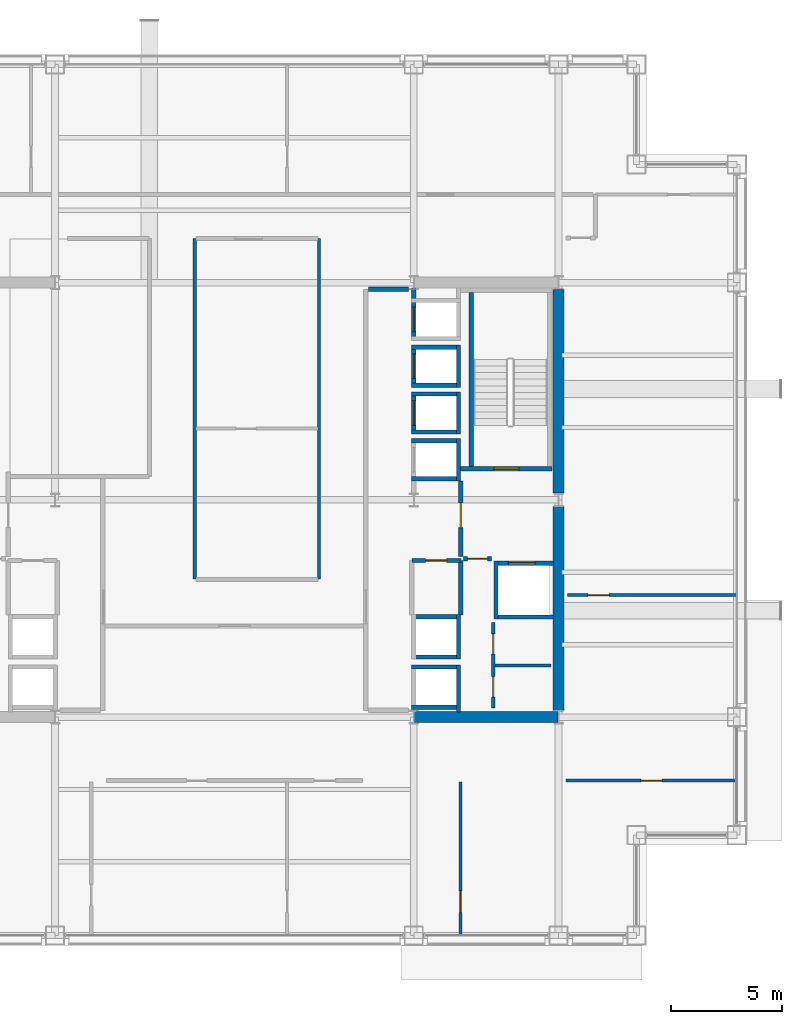
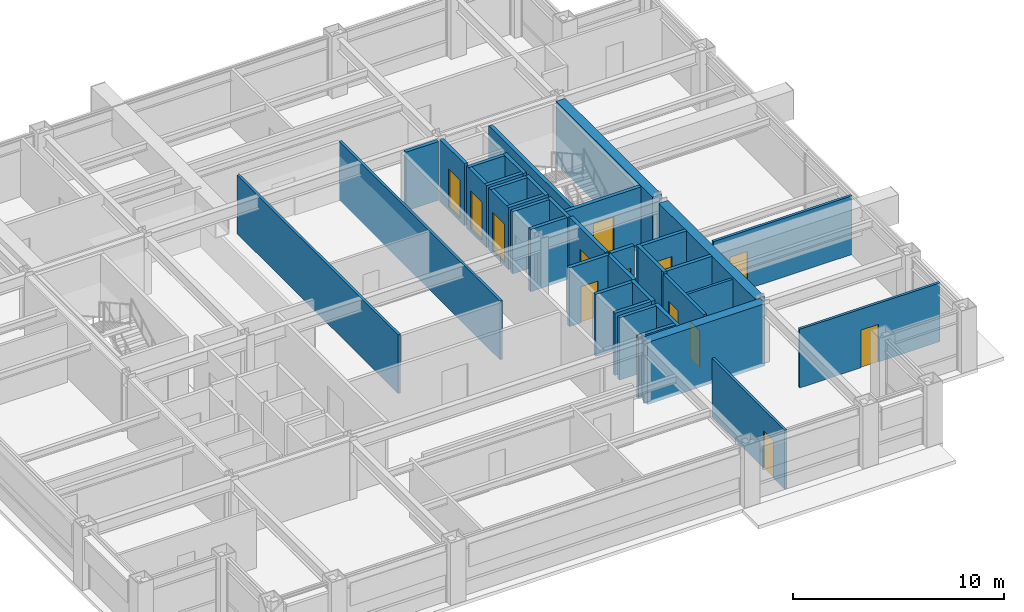
# One storey, part 32 of 34: 38 walls, 13 doors, 13 openings.
"""IFC4 building model written with IfcOpenShell, lengths in metres."""

import ifcopenshell
import ifcopenshell.guid

model = None  # the IFC model being written
_history = None  # IfcOwnerHistory: only IFC2X3 demands one
_inside = {}  # id of a spatial element -> (the spatial element, [elements in it])
_under = {}  # id of a project, library or spatial element -> (it, [spatial elements below it])
_declared = {}  # id of a project -> (the project, [libraries it declares])
_typed = {}  # id of a type object -> (the type object, [elements of that type])
_made_of = {}  # id of a material, layer set ... -> (it, [elements and type objects made of it])


def new_model(schema):
    """Start an empty IFC model of exactly this schema.

    Asked for "IFC4X3", IfcOpenShell would pick the latest addendum, in which some entities
    have other attributes; the version numbers below select the first issue.
    IFC2X3 requires an IfcOwnerHistory on every rooted entity: one is made here for all.
    """
    global model, _history
    if schema == "IFC4X3":
        model = ifcopenshell.file(schema_version=(4, 3, 0, 0))
    else:
        model = ifcopenshell.file(schema=schema)
    _inside.clear()
    _under.clear()
    _declared.clear()
    _typed.clear()
    _made_of.clear()
    _history = None
    if model.schema == "IFC2X3":
        org = make("IfcOrganization", Name="unknown")
        user = make(
            "IfcPersonAndOrganization",
            ThePerson=make("IfcPerson", FamilyName="unknown"),
            TheOrganization=org,
        )
        app = make(
            "IfcApplication",
            ApplicationDeveloper=org,
            Version="unknown",
            ApplicationFullName="unknown",
            ApplicationIdentifier="unknown",
        )
        _history = make(
            "IfcOwnerHistory",
            OwningUser=user,
            OwningApplication=app,
            ChangeAction="ADDED",
            CreationDate=0,
        )
    return model


def make(cls, **values):
    """One entity of the class cls with the attributes given. An attribute that is None is left unset."""
    return model.create_entity(
        cls, **{name: value for name, value in values.items() if value is not None}
    )


def rooted(cls, **values):
    """An entity with a GlobalId (a new one), such as an element, a storey or a relation."""
    return make(cls, GlobalId=ifcopenshell.guid.new(), OwnerHistory=_history, **values)


def si_unit(unit_type, name, prefix=None):
    """IfcSIUnit, for example si_unit("LENGTHUNIT", "METRE", prefix="MILLI")."""
    return make("IfcSIUnit", UnitType=unit_type, Prefix=prefix, Name=name)


def assignment(units):
    """IfcUnitAssignment: the units of a project."""
    return None if units is None else make("IfcUnitAssignment", Units=units)


def point(xyz):
    """IfcCartesianPoint."""
    return None if xyz is None else make("IfcCartesianPoint", Coordinates=xyz)


def direction(xyz):
    """IfcDirection."""
    return None if xyz is None else make("IfcDirection", DirectionRatios=xyz)


def frame(location, z_axis=None, x_axis=None):
    """IfcAxis2Placement3D, a coordinate frame: its origin and axes. An axis left out is left unset."""
    return make(
        "IfcAxis2Placement3D",
        Location=point(location),
        Axis=direction(z_axis),
        RefDirection=direction(x_axis),
    )


def frame_2d(location, x_axis=None):
    """IfcAxis2Placement2D, a coordinate frame in the plane: its origin and x axis."""
    return make(
        "IfcAxis2Placement2D", Location=point(location), RefDirection=direction(x_axis)
    )


def origin():
    """The frame at (0, 0, 0) with its axes left unset."""
    return frame((0.0, 0.0, 0.0))


def place(relative_to, where):
    """IfcLocalPlacement: puts the frame where relative to a parent placement (None: the world)."""
    return make(
        "IfcLocalPlacement", PlacementRelTo=relative_to, RelativePlacement=where
    )


def context(
    kind, dimensions, precision=None, world=None, true_north=None, identifier=None
):
    """IfcGeometricRepresentationContext, for example the 3D "Model" context."""
    return make(
        "IfcGeometricRepresentationContext",
        ContextIdentifier=identifier,
        ContextType=kind,
        CoordinateSpaceDimension=dimensions,
        Precision=precision,
        WorldCoordinateSystem=world,
        TrueNorth=true_north,
    )


def subcontext(parent, identifier, kind, view, scale=None):
    """IfcGeometricRepresentationSubContext, for example "Body" below "Model"."""
    return make(
        "IfcGeometricRepresentationSubContext",
        ContextIdentifier=identifier,
        ContextType=kind,
        ParentContext=parent,
        TargetScale=scale,
        TargetView=view,
    )


def project(units=None, contexts=None):
    """IfcProject with its units and contexts."""
    return rooted(
        "IfcProject",
        Name="project",
        RepresentationContexts=contexts,
        UnitsInContext=assignment(units),
    )


def spatial(cls, under=None, at=None, **own):
    """A site, building, storey or space (cls), placed at a placement, below another one or the project."""
    s = rooted(cls, ObjectPlacement=at, **own)
    if under is not None:
        _under.setdefault(under.id(), (under, []))[1].append(s)
    return s


def profile(cls, at=None, kind="AREA", **sizes):
    """A parametric profile (cls). Its sizes go by their IFC names, for example OverallWidth=200.0."""
    return make(cls, ProfileType=kind, Position=at, **sizes)


def rectangle(**sizes):
    """IfcRectangleProfileDef."""
    return profile("IfcRectangleProfileDef", **sizes)


def extrude(swept, where, along, depth):
    """IfcExtrudedAreaSolid: the profile swept, set in the frame where, extruded along a direction by depth."""
    return make(
        "IfcExtrudedAreaSolid",
        SweptArea=swept,
        Position=where,
        ExtrudedDirection=direction(along),
        Depth=depth,
    )


def shape(context_of_items, identifier, shape_type, items):
    """IfcShapeRepresentation: the items that make up one representation, for example the "Body"."""
    return make(
        "IfcShapeRepresentation",
        ContextOfItems=context_of_items,
        RepresentationIdentifier=identifier,
        RepresentationType=shape_type,
        Items=items,
    )


def material(Name=None, Category=None):
    """IfcMaterial."""
    return make("IfcMaterial", Name=Name, Category=Category)


def layer(
    of_material, thickness, ventilated=None, Name=None, Category=None, Priority=None
):
    """IfcMaterialLayer: one layer of a wall or slab, of a material (None: an air gap)."""
    return make(
        "IfcMaterialLayer",
        Material=of_material,
        LayerThickness=thickness,
        IsVentilated=ventilated,
        Name=Name,
        Category=Category,
        Priority=Priority,
    )


def layer_set(layers, Name=None):
    """IfcMaterialLayerSet."""
    return make("IfcMaterialLayerSet", MaterialLayers=layers, LayerSetName=Name)


def made_of(thing, what):
    """Note that an element or type object is made of a material, layer set ...; save() writes the relation."""
    if what is not None:
        _made_of.setdefault(what.id(), (what, []))[1].append(thing)
    return thing


def type_object(cls, material=None, **own):
    """A type object (cls), such as IfcWallType, which elements share."""
    return made_of(rooted(cls, **own), material)


def element(
    cls,
    number,
    at=None,
    inside=None,
    cuts=None,
    type_object=None,
    material=None,
    context=None,
    identifier="Body",
    shape_type=None,
    held_by="IfcProductDefinitionShape",
    body=None,
    shapes=None,
    **own,
):
    """One element of the class cls, such as IfcWall. Its Tag is "e" and its number.

    at: its placement. inside: the storey or other place that contains it. cuts: it is an
    opening in that element (IfcRelVoidsElement). A single representation is given by context,
    identifier, shape_type and body (its items); several are given by shapes. held_by: the class
    of the entity that holds the representations. save() writes the other relations.
    """
    e = rooted(cls, Tag="e%d" % number, ObjectPlacement=at, **own)
    if body is not None:
        shapes = [shape(context, identifier, shape_type, body)]
    if shapes is not None:
        e.Representation = make(held_by, Representations=shapes)
    if inside is not None:
        _inside.setdefault(inside.id(), (inside, []))[1].append(e)
    if cuts is not None:
        rooted(
            "IfcRelVoidsElement", RelatingBuildingElement=cuts, RelatedOpeningElement=e
        )
    if type_object is not None:
        _typed.setdefault(type_object.id(), (type_object, []))[1].append(e)
    return made_of(e, material)


def fill(opening, filler):
    """IfcRelFillsElement: the door or window that sits in an opening."""
    return rooted(
        "IfcRelFillsElement",
        RelatingOpeningElement=opening,
        RelatedBuildingElement=filler,
    )


def aggregate(whole, parts):
    """IfcRelAggregates: a whole, such as a stair, and the parts it consists of."""
    return rooted("IfcRelAggregates", RelatingObject=whole, RelatedObjects=parts)


def save(model, path):
    """Write the relations noted so far, then the file.

    IfcRelAggregates (storeys below a building ...), IfcRelContainedInSpatialStructure (elements
    in a storey), IfcRelDefinesByType, IfcRelAssociatesMaterial and IfcRelDeclares: one each for
    every whole, place, type object, material and project.
    """
    for whole, parts in _under.values():
        aggregate(whole, parts)
    for where, things in _inside.values():
        rooted(
            "IfcRelContainedInSpatialStructure",
            RelatedElements=things,
            RelatingStructure=where,
        )
    for kind, things in _typed.values():
        rooted("IfcRelDefinesByType", RelatedObjects=things, RelatingType=kind)
    for what, things in _made_of.values():
        rooted("IfcRelAssociatesMaterial", RelatedObjects=things, RelatingMaterial=what)
    for by, libraries in _declared.values():
        rooted("IfcRelDeclares", RelatingContext=by, RelatedDefinitions=libraries)
    model.write(path)


model = new_model("IFC4")

# Units and contexts
model_context = context("Model", 3, precision=1e-05, world=origin(), true_north=direction((0.0, 1.0)))
body_context = subcontext(model_context, "Body", "Model", "MODEL_VIEW")
ifc_project = project(units=[si_unit("LENGTHUNIT", "METRE"), si_unit("AREAUNIT", "SQUARE_METRE"), si_unit("VOLUMEUNIT", "CUBIC_METRE"), si_unit("PLANEANGLEUNIT", "RADIAN"), si_unit("MASSUNIT", "GRAM", prefix="KILO")], contexts=[model_context])

# Site, building, storey
site_placement = place(None, origin())
site = spatial("IfcSite", under=ifc_project, at=site_placement, CompositionType="ELEMENT")
building_placement = place(site_placement, origin())
building = spatial("IfcBuilding", under=site, at=building_placement, Name="Brelmoor Portico Tower", CompositionType="ELEMENT")
storey_placement = place(building_placement, frame((0.0, 0.0, 117.0)))
storey = spatial("IfcBuildingStorey", under=building, at=storey_placement, Name="L30", CompositionType="ELEMENT", Elevation=117.0)

# Walls
ifc_material_1 = material(Name="Concrete C60", Category="concrete")
ifc_layer_1 = layer(ifc_material_1, 0.5)
ifc_layer_set_1 = layer_set([ifc_layer_1], Name="Concrete C60")
wall_type_1 = type_object("IfcWallType", Name="WL-CORE-500", PredefinedType="SHEAR", material=ifc_layer_set_1)
wall_1_placement = place(storey_placement, frame((8.070068359375, -9.75, -0.199951171875), z_axis=(0.0, 0.0, 1.0), x_axis=(1.0, 0.0, 0.0)))
element("IfcWall", 1, at=wall_1_placement, inside=storey, type_object=wall_type_1, Name="L30 EC South Shear Wall", PredefinedType="SHEAR", context=body_context, shape_type="SweptSolid", body=[
    extrude(rectangle(XDim=6.4599609375, YDim=0.5, at=frame_2d((3.22998046875, 0.0))), origin(), (0.0, 0.0, 1.0), 3.599853515625),
])
for number, where, z_axis, x_axis, name in (
    (2, (14.550048828125, -9.449951171875, -0.199951171875), (0.0, 0.0, 1.0), (0.0, 1.0, 0.0), "L30 EC Outer South Shear Wall"),
    (3, (14.550048828125, 0.300048828125, -0.199951171875), (0.0, 0.0, 1.0), (0.0, 1.0, 0.0), "L30 EC Outer North Shear Wall"),
):
    element("IfcWall", number, at=place(storey_placement, frame(where, z_axis=z_axis, x_axis=x_axis)), inside=storey, type_object=wall_type_1, Name=name, PredefinedType="SHEAR", context=body_context, shape_type="SweptSolid", body=[
        extrude(rectangle(XDim=9.14990234375, YDim=0.5, at=frame_2d((4.574951171875, 0.0))), origin(), (0.0, 0.0, 1.0), 3.599853515625),
    ])
ifc_material_2 = material(Name="Insulated Stud Suite Partition", Category="gypsum")
ifc_layer_2 = layer(ifc_material_2, 0.139892578125)
ifc_layer_set_2 = layer_set([ifc_layer_2], Name="Insulated Stud Suite Partition")
wall_type_2 = type_object("IfcWallType", Name="WL-PART-140", PredefinedType="PARTITIONING", material=ifc_layer_set_2)
wall_2_placement = place(storey_placement, frame((11.699951171875, -7.425048828125, 0.0), z_axis=(0.0, 0.0, 1.0), x_axis=(1.0, 0.0, 0.0)))
element("IfcWall", 4, at=wall_2_placement, inside=storey, type_object=wall_type_2, Name="L30 E Core WC Divider 1", PredefinedType="PARTITIONING", context=body_context, shape_type="SweptSolid", body=[
    extrude(rectangle(XDim=2.5, YDim=0.139892578125, at=frame_2d((1.25, 0.0))), origin(), (0.0, 0.0, 1.0), 3.39990234375),
])
for number, where, z_axis, x_axis, name in (
    (5, (-1.780029296875, -3.550048828125, 0.0), (0.0, 0.0, 1.0), (0.0, 1.0, 0.0), "L30 Central Studio West Wall"),
    (6, (3.800048828125, -3.550048828125, 0.0), (0.0, 0.0, 1.0), (0.0, 1.0, 0.0), "L30 Central Studio East Wall"),
):
    element("IfcWall", number, at=place(storey_placement, frame(where, z_axis=z_axis, x_axis=x_axis)), inside=storey, type_object=wall_type_2, Name=name, PredefinedType="PARTITIONING", context=body_context, shape_type="SweptSolid", body=[
        extrude(rectangle(XDim=15.280029296875, YDim=0.139892578125, at=frame_2d((7.64013671875, 0.0))), origin(), (0.0, 0.0, 1.0), 3.39990234375),
    ])

# Wall, opening, door
wall_3_placement = place(storey_placement, frame((10.14599609375, -19.56005859375, 0.0), z_axis=(0.0, 0.0, 1.0), x_axis=(0.0, 1.0, 0.0)))
wall_3 = element("IfcWall", 7, at=wall_3_placement, inside=storey, type_object=wall_type_2, Name="L30 South Suite Partition 3", PredefinedType="PARTITIONING", context=body_context, shape_type="SweptSolid", body=[
    extrude(rectangle(XDim=6.900146484375, YDim=0.139892578125, at=frame_2d((3.4501953125, 0.0))), origin(), (0.0, 0.0, 1.0), 3.39990234375),
])
opening_1_placement = place(wall_3_placement, frame((1.050048828125, 0.0, 0.0)))
opening_1 = element("IfcOpeningElement", 8, at=opening_1_placement, cuts=wall_3, Name="Opening D-IN2", PredefinedType="OPENING", context=body_context, shape_type="SweptSolid", body=[
    extrude(rectangle(XDim=0.9599609375, YDim=2.179931640625, at=frame_2d((0.47998046875, 1.08984375))), frame((0.0, 0.079833984375, 0.0), z_axis=(0.0, -1.0, 0.0), x_axis=(1.0, 0.0, 0.0)), (0.0, 0.0, 1.0), 0.159912109375),
])
ifc_material_3 = material(Name="Lacquered Timber Suite Door", Category="wood")
door_type_1 = type_object("IfcDoorType", Name="DR-INT-950", OperationType="NOTDEFINED", PredefinedType="DOOR", material=ifc_material_3)
door_1_placement = place(opening_1_placement, origin())
door_1 = element("IfcDoor", 9, at=door_1_placement, inside=storey, type_object=door_type_1, Name="D-1337 L30 South Suite Connecting Door 3", OperationType="SINGLE_SWING_LEFT", OverallHeight=2.179931640625, OverallWidth=0.9599609375, PredefinedType="DOOR", context=body_context, shape_type="SweptSolid", body=[
    extrude(rectangle(XDim=0.9599609375, YDim=2.179931640625, at=frame_2d((0.47998046875, 1.08984375))), frame((0.0, 0.02490234375, 0.0), z_axis=(0.0, -1.0, 0.0), x_axis=(1.0, 0.0, 0.0)), (0.0, 0.0, 1.0), 0.050048828125),
])
fill(opening_1, door_1)

wall_4_placement = place(storey_placement, frame((14.8798828125, -12.60009765625, 0.0), z_axis=(0.0, 0.0, 1.0), x_axis=(1.0, 0.0, 0.0)))
wall_4 = element("IfcWall", 10, at=wall_4_placement, inside=storey, type_object=wall_type_2, Name="L30 South Wing Closure ER", PredefinedType="PARTITIONING", context=body_context, shape_type="SweptSolid", body=[
    extrude(rectangle(XDim=7.68017578125, YDim=0.139892578125, at=frame_2d((3.840087890625, 0.0))), origin(), (0.0, 0.0, 1.0), 3.39990234375),
])
opening_2_placement = place(wall_4_placement, frame((3.360107421875, 0.0, 0.0)))
opening_2 = element("IfcOpeningElement", 11, at=opening_2_placement, cuts=wall_4, Name="Opening D-IN2", PredefinedType="OPENING", context=body_context, shape_type="SweptSolid", body=[
    extrude(rectangle(XDim=0.9599609375, YDim=2.179931640625, at=frame_2d((0.47998046875, 1.08984375))), frame((0.0, 0.079833984375, 0.0), z_axis=(0.0, -1.0, 0.0), x_axis=(1.0, 0.0, 0.0)), (0.0, 0.0, 1.0), 0.159912109375),
])
door_2_placement = place(opening_2_placement, origin())
door_2 = element("IfcDoor", 12, at=door_2_placement, inside=storey, type_object=door_type_1, Name="D-1340 L30 ER Wing South Suite Door", OperationType="SINGLE_SWING_LEFT", OverallHeight=2.179931640625, OverallWidth=0.9599609375, PredefinedType="DOOR", context=body_context, shape_type="SweptSolid", body=[
    extrude(rectangle(XDim=0.9599609375, YDim=2.179931640625, at=frame_2d((0.47998046875, 1.08984375))), frame((0.0, 0.02490234375, 0.0), z_axis=(0.0, -1.0, 0.0), x_axis=(1.0, 0.0, 0.0)), (0.0, 0.0, 1.0), 0.050048828125),
])
fill(opening_2, door_2)

wall_5_placement = place(storey_placement, frame((14.9599609375, -4.27490234375, 0.0), z_axis=(0.0, 0.0, 1.0), x_axis=(1.0, 0.0, 0.0)))
wall_5 = element("IfcWall", 13, at=wall_5_placement, inside=storey, type_object=wall_type_2, Name="L30 E Wing Partition 1", PredefinedType="PARTITIONING", context=body_context, shape_type="SweptSolid", body=[
    extrude(rectangle(XDim=7.60009765625, YDim=0.139892578125, at=frame_2d((3.800048828125, 0.0))), origin(), (0.0, 0.0, 1.0), 3.39990234375),
])
opening_3_placement = place(wall_5_placement, frame((0.89990234375, 0.0, 0.0)))
opening_3 = element("IfcOpeningElement", 14, at=opening_3_placement, cuts=wall_5, Name="Opening D-IN2", PredefinedType="OPENING", context=body_context, shape_type="SweptSolid", body=[
    extrude(rectangle(XDim=0.9599609375, YDim=2.179931640625, at=frame_2d((0.47998046875, 1.08984375))), frame((0.0, 0.079833984375, 0.0), z_axis=(0.0, -1.0, 0.0), x_axis=(1.0, 0.0, 0.0)), (0.0, 0.0, 1.0), 0.159912109375),
])
door_3_placement = place(opening_3_placement, origin())
door_3 = element("IfcDoor", 15, at=door_3_placement, inside=storey, type_object=door_type_1, Name="D-1342 L30 E Wing Suite Connecting Door 1", OperationType="SINGLE_SWING_RIGHT", OverallHeight=2.179931640625, OverallWidth=0.9599609375, PredefinedType="DOOR", context=body_context, shape_type="SweptSolid", body=[
    extrude(rectangle(XDim=0.9599609375, YDim=2.179931640625, at=frame_2d((0.47998046875, 1.08984375))), frame((0.0, 0.02490234375, 0.0), z_axis=(0.0, -1.0, 0.0), x_axis=(1.0, 0.0, 0.0)), (0.0, 0.0, 1.0), 0.050048828125),
])
fill(opening_3, door_3)

# Wall, openings, doors
ifc_material_4 = material(Name="Twin-Frame Acoustic Partition", Category="gypsum")
ifc_layer_3 = layer(ifc_material_4, 0.159912109375)
ifc_layer_set_3 = layer_set([ifc_layer_3], Name="Twin-Frame Acoustic Partition")
wall_type_3 = type_object("IfcWallType", Name="WL-PART-160", PredefinedType="PARTITIONING", material=ifc_layer_set_3)
wall_6_placement = place(storey_placement, frame((11.6201171875, -9.35009765625, 0.0), z_axis=(0.0, 0.0, 1.0), x_axis=(0.0, 1.0, 0.0)))
wall_6 = element("IfcWall", 16, at=wall_6_placement, inside=storey, type_object=wall_type_3, Name="L30 E Core Service Front Wall", PredefinedType="PARTITIONING", context=body_context, shape_type="SweptSolid", body=[
    extrude(rectangle(XDim=3.85009765625, YDim=0.159912109375, at=frame_2d((1.925048828125, 0.0))), origin(), (0.0, 0.0, 1.0), 3.39990234375),
])
opening_4_placement = place(wall_6_placement, frame((0.512451171875, 0.0, 0.0)))
opening_4 = element("IfcOpeningElement", 17, at=opening_4_placement, cuts=wall_6, Name="Opening D-IN1", PredefinedType="OPENING", context=body_context, shape_type="SweptSolid", body=[
    extrude(rectangle(XDim=0.89990234375, YDim=2.14990234375, at=frame_2d((0.449951171875, 1.074951171875))), frame((0.0, 0.08984375, 0.0), z_axis=(0.0, -1.0, 0.0), x_axis=(1.0, 0.0, 0.0)), (0.0, 0.0, 1.0), 0.179931640625),
])
opening_5_placement = place(wall_6_placement, frame((2.4375, 0.0, 0.0)))
opening_5 = element("IfcOpeningElement", 18, at=opening_5_placement, cuts=wall_6, Name="Opening D-IN1", PredefinedType="OPENING", context=body_context, shape_type="SweptSolid", body=[
    extrude(rectangle(XDim=0.89990234375, YDim=2.14990234375, at=frame_2d((0.449951171875, 1.074951171875))), frame((0.0, 0.08984375, 0.0), z_axis=(0.0, -1.0, 0.0), x_axis=(1.0, 0.0, 0.0)), (0.0, 0.0, 1.0), 0.179931640625),
])
door_type_2 = type_object("IfcDoorType", Name="DR-INT-900", OperationType="NOTDEFINED", PredefinedType="DOOR", material=ifc_material_3)
door_4_placement = place(opening_4_placement, origin())
door_4 = element("IfcDoor", 19, at=door_4_placement, inside=storey, type_object=door_type_2, Name="D-1313 L30 E Male WC Door", OperationType="SINGLE_SWING_RIGHT", OverallHeight=2.14990234375, OverallWidth=0.89990234375, PredefinedType="DOOR", context=body_context, shape_type="SweptSolid", body=[
    extrude(rectangle(XDim=0.89990234375, YDim=2.14990234375, at=frame_2d((0.449951171875, 1.074951171875))), frame((0.0, 0.02490234375, 0.0), z_axis=(0.0, -1.0, 0.0), x_axis=(1.0, 0.0, 0.0)), (0.0, 0.0, 1.0), 0.050048828125),
])
fill(opening_4, door_4)
door_5_placement = place(opening_5_placement, origin())
door_5 = element("IfcDoor", 20, at=door_5_placement, inside=storey, type_object=door_type_2, Name="D-1314 L30 E Female WC Door", OperationType="SINGLE_SWING_LEFT", OverallHeight=2.14990234375, OverallWidth=0.89990234375, PredefinedType="DOOR", context=body_context, shape_type="SweptSolid", body=[
    extrude(rectangle(XDim=0.89990234375, YDim=2.14990234375, at=frame_2d((0.449951171875, 1.074951171875))), frame((0.0, 0.02490234375, 0.0), z_axis=(0.0, -1.0, 0.0), x_axis=(1.0, 0.0, 0.0)), (0.0, 0.0, 1.0), 0.050048828125),
])
fill(opening_5, door_5)

# Wall
ifc_material_5 = material(Name="Double-Stud Gypsum Fire Partition", Category="gypsum")
ifc_layer_4 = layer(ifc_material_5, 0.199951171875)
ifc_layer_set_4 = layer_set([ifc_layer_4], Name="Double-Stud Gypsum Fire Partition")
wall_type_4 = type_object("IfcWallType", Name="WL-PART-200", PredefinedType="PARTITIONING", material=ifc_layer_set_4)
wall_7_placement = place(storey_placement, frame((6.02001953125, 9.449951171875, 0.0), z_axis=(0.0, 0.0, 1.0), x_axis=(1.0, 0.0, 0.0)))
element("IfcWall", 21, at=wall_7_placement, inside=storey, type_object=wall_type_4, Name="L30 E Lift Lobby North End Wall", PredefinedType="PARTITIONING", context=body_context, shape_type="SweptSolid", body=[
    extrude(rectangle(XDim=1.800048828125, YDim=0.199951171875, at=frame_2d((0.89990234375, 0.0))), origin(), (0.0, 0.0, 1.0), 3.39990234375),
])

# Wall, opening, door
wall_8_placement = place(storey_placement, frame((10.159912109375, -2.550048828125, 0.0), z_axis=(0.0, 0.0, 1.0), x_axis=(0.0, 1.0, 0.0)))
wall_8 = element("IfcWall", 22, at=wall_8_placement, inside=storey, type_object=wall_type_4, Name="L30 E Firefighting Lobby Wall", PredefinedType="PARTITIONING", context=body_context, shape_type="SweptSolid", body=[
    extrude(rectangle(XDim=3.400146484375, YDim=0.199951171875, at=frame_2d((1.7001953125, 0.0))), origin(), (0.0, 0.0, 1.0), 3.39990234375),
])
opening_6_placement = place(wall_8_placement, frame((1.300048828125, 0.0, 0.0)))
opening_6 = element("IfcOpeningElement", 23, at=opening_6_placement, cuts=wall_8, Name="Opening D-FR1", PredefinedType="OPENING", context=body_context, shape_type="SweptSolid", body=[
    extrude(rectangle(XDim=1.10009765625, YDim=2.14990234375, at=frame_2d((0.550048828125, 1.074951171875))), frame((0.0, 0.10986328125, 0.0), z_axis=(0.0, -1.0, 0.0), x_axis=(1.0, 0.0, 0.0)), (0.0, 0.0, 1.0), 0.219970703125),
])
ifc_material_6 = material(Name="Painted Galvanised Steel Fire Door", Category="steel")
door_type_3 = type_object("IfcDoorType", Name="DR-FIRE-1100", OperationType="NOTDEFINED", PredefinedType="DOOR", material=ifc_material_6)
door_6_placement = place(opening_6_placement, origin())
door_6 = element("IfcDoor", 24, at=door_6_placement, inside=storey, type_object=door_type_3, Name="D-1322 L30 E Firefighting Lobby Door", OperationType="SINGLE_SWING_LEFT", OverallHeight=2.14990234375, OverallWidth=1.10009765625, PredefinedType="DOOR", context=body_context, shape_type="SweptSolid", body=[
    extrude(rectangle(XDim=1.10009765625, YDim=2.14990234375, at=frame_2d((0.550048828125, 1.074951171875))), frame((0.0, 0.02490234375, 0.0), z_axis=(0.0, -1.0, 0.0), x_axis=(1.0, 0.0, 0.0)), (0.0, 0.0, 1.0), 0.050048828125),
])
fill(opening_6, door_6)

wall_9_placement = place(storey_placement, frame((10.280029296875, -2.64990234375, 0.0), z_axis=(0.0, 0.0, 1.0), x_axis=(1.0, 0.0, 0.0)))
wall_9 = element("IfcWall", 25, at=wall_9_placement, inside=storey, type_object=wall_type_4, Name="L30 E Firefighting Lobby South Wall", PredefinedType="PARTITIONING", context=body_context, shape_type="SweptSolid", body=[
    extrude(rectangle(XDim=1.27001953125, YDim=0.199951171875, at=frame_2d((0.635009765625, 0.0))), origin(), (0.0, 0.0, 1.0), 3.39990234375),
])
opening_7_placement = place(wall_9_placement, frame((0.18505859375, 0.0, 0.0)))
opening_7 = element("IfcOpeningElement", 26, at=opening_7_placement, cuts=wall_9, Name="Opening D-IN1", PredefinedType="OPENING", context=body_context, shape_type="SweptSolid", body=[
    extrude(rectangle(XDim=0.89990234375, YDim=2.14990234375, at=frame_2d((0.449951171875, 1.074951171875))), frame((0.0, 0.10986328125, 0.0), z_axis=(0.0, -1.0, 0.0), x_axis=(1.0, 0.0, 0.0)), (0.0, 0.0, 1.0), 0.219970703125),
])
door_7_placement = place(opening_7_placement, origin())
door_7 = element("IfcDoor", 27, at=door_7_placement, inside=storey, type_object=door_type_2, Name="D-1315 L30 E Core Service Vestibule Door", OperationType="SINGLE_SWING_RIGHT", OverallHeight=2.14990234375, OverallWidth=0.89990234375, PredefinedType="DOOR", context=body_context, shape_type="SweptSolid", body=[
    extrude(rectangle(XDim=0.89990234375, YDim=2.14990234375, at=frame_2d((0.449951171875, 1.074951171875))), frame((0.0, 0.02490234375, 0.0), z_axis=(0.0, -1.0, 0.0), x_axis=(1.0, 0.0, 0.0)), (0.0, 0.0, 1.0), 0.050048828125),
])
fill(opening_7, door_7)

wall_10_placement = place(storey_placement, frame((7.9599609375, -2.719970703125, 0.0), z_axis=(0.0, 0.0, 1.0), x_axis=(1.0, 0.0, 0.0)))
wall_10 = element("IfcWall", 28, at=wall_10_placement, inside=storey, type_object=wall_type_4, Name="L30 E Electrical Switchgear Closet Wall", PredefinedType="PARTITIONING", context=body_context, shape_type="SweptSolid", body=[
    extrude(rectangle(XDim=2.199951171875, YDim=0.199951171875, at=frame_2d((1.10009765625, 0.0))), origin(), (0.0, 0.0, 1.0), 3.39990234375),
])
opening_8_placement = place(wall_10_placement, frame((0.6201171875, 0.0, 0.0)))
opening_8 = element("IfcOpeningElement", 29, at=opening_8_placement, cuts=wall_10, Name="Opening D-FR4", PredefinedType="OPENING", context=body_context, shape_type="SweptSolid", body=[
    extrude(rectangle(XDim=0.949951171875, YDim=2.10009765625, at=frame_2d((0.47509765625, 1.050048828125))), frame((0.0, 0.10986328125, 0.0), z_axis=(0.0, -1.0, 0.0), x_axis=(1.0, 0.0, 0.0)), (0.0, 0.0, 1.0), 0.219970703125),
])
ifc_material_7 = material(Name="Painted Galvanised Steel Riser Door", Category="steel")
door_type_4 = type_object("IfcDoorType", Name="DR-FIRE-950", OperationType="NOTDEFINED", PredefinedType="DOOR", material=ifc_material_7)
door_8_placement = place(opening_8_placement, origin())
door_8 = element("IfcDoor", 30, at=door_8_placement, inside=storey, type_object=door_type_4, Name="D-1320 L30 E Electrical Switchgear Closet Door", OperationType="SINGLE_SWING_LEFT", OverallHeight=2.10009765625, OverallWidth=0.949951171875, PredefinedType="DOOR", context=body_context, shape_type="SweptSolid", body=[
    extrude(rectangle(XDim=0.949951171875, YDim=2.10009765625, at=frame_2d((0.47509765625, 1.050048828125))), frame((0.0, 0.02490234375, 0.0), z_axis=(0.0, -1.0, 0.0), x_axis=(1.0, 0.0, 0.0)), (0.0, 0.0, 1.0), 0.050048828125),
])
fill(opening_8, door_8)

# Walls
wall_11_placement = place(storey_placement, frame((10.159912109375, -5.159912109375, 0.0), z_axis=(0.0, 0.0, 1.0), x_axis=(0.0, 1.0, 0.0)))
element("IfcWall", 31, at=wall_11_placement, inside=storey, type_object=wall_type_4, Name="L30 E Electrical Switchgear Closet Outer Wall", PredefinedType="PARTITIONING", context=body_context, shape_type="SweptSolid", body=[
    extrude(rectangle(XDim=2.43994140625, YDim=0.199951171875, at=frame_2d((1.219970703125, 0.0))), origin(), (0.0, 0.0, 1.0), 3.39990234375),
])
ifc_material_8 = material(Name="Precast Concrete C40", Category="concrete")
ifc_layer_5 = layer(ifc_material_8, 0.18994140625)
ifc_layer_set_5 = layer_set([ifc_layer_5], Name="Precast Concrete C40")
wall_type_5 = type_object("IfcWallType", Name="WL-SHAFT-180", PredefinedType="SOLIDWALL", material=ifc_layer_set_5)
wall_12_placement = place(storey_placement, frame((10.054931640625, 0.85009765625, -0.199951171875), z_axis=(0.0, 0.0, 1.0), x_axis=(0.0, 1.0, 0.0)))
element("IfcWall", 32, at=wall_12_placement, inside=storey, type_object=wall_type_5, Name="L30 Lift PM1 Hoistway Back Wall", PredefinedType="SOLIDWALL", context=body_context, shape_type="SweptSolid", body=[
    extrude(rectangle(XDim=1.89990234375, YDim=0.18994140625, at=frame_2d((0.949951171875, 0.0))), origin(), (0.0, 0.0, 1.0), 3.599853515625),
])
for number, where, z_axis, x_axis, name in (
    (33, (7.949951171875, 2.655029296875, -0.199951171875), (0.0, 0.0, 1.0), (1.0, 0.0, 0.0), "L30 Lift PM1 Hoistway North Wall"),
    (34, (7.949951171875, 0.945068359375, -0.199951171875), (0.0, 0.0, 1.0), (1.0, 0.0, 0.0), "L30 Lift PM1 Hoistway South Wall"),
):
    element("IfcWall", number, at=place(storey_placement, frame(where, z_axis=z_axis, x_axis=x_axis)), inside=storey, type_object=wall_type_5, Name=name, PredefinedType="SOLIDWALL", context=body_context, shape_type="SweptSolid", body=[
        extrude(rectangle(XDim=2.199951171875, YDim=0.18994140625, at=frame_2d((1.10009765625, 0.0))), origin(), (0.0, 0.0, 1.0), 3.599853515625),
    ])

# Wall, opening, door
wall_13_placement = place(storey_placement, frame((8.044921875, 2.949951171875, -0.199951171875), z_axis=(0.0, 0.0, 1.0), x_axis=(0.0, 1.0, 0.0)))
wall_13 = element("IfcWall", 35, at=wall_13_placement, inside=storey, type_object=wall_type_5, Name="L30 Lift PM2 Hoistway Front Wall", PredefinedType="SOLIDWALL", context=body_context, shape_type="SweptSolid", body=[
    extrude(rectangle(XDim=1.900146484375, YDim=0.18994140625, at=frame_2d((0.9501953125, 0.0))), origin(), (0.0, 0.0, 1.0), 3.599853515625),
])
opening_9_placement = place(wall_13_placement, frame((0.39990234375, 0.0, 0.199951171875)))
opening_9 = element("IfcOpeningElement", 36, at=opening_9_placement, cuts=wall_13, Name="Opening LD-01", PredefinedType="OPENING", context=body_context, shape_type="SweptSolid", body=[
    extrude(rectangle(XDim=1.10009765625, YDim=2.199951171875, at=frame_2d((0.550048828125, 1.10009765625))), frame((0.0, 0.10498046875, 0.0), z_axis=(0.0, -1.0, 0.0), x_axis=(1.0, 0.0, 0.0)), (0.0, 0.0, 1.0), 0.2099609375),
])
ifc_material_9 = material(Name="Brushed Stainless Steel Sliding Lift Door", Category="steel")
door_type_5 = type_object("IfcDoorType", Name="DR-LIFT-1100", OperationType="NOTDEFINED", PredefinedType="DOOR", material=ifc_material_9)
door_9_placement = place(opening_9_placement, origin())
door_9 = element("IfcDoor", 37, at=door_9_placement, inside=storey, type_object=door_type_5, Name="D-1350 L30 Lift PM2 Sliding Landing Door", OperationType="SLIDING_TO_LEFT", OverallHeight=2.199951171875, OverallWidth=1.10009765625, PredefinedType="DOOR", context=body_context, shape_type="SweptSolid", body=[
    extrude(rectangle(XDim=1.10009765625, YDim=2.199951171875, at=frame_2d((0.550048828125, 1.10009765625))), frame((0.0, 0.02490234375, 0.0), z_axis=(0.0, -1.0, 0.0), x_axis=(1.0, 0.0, 0.0)), (0.0, 0.0, 1.0), 0.050048828125),
])
fill(opening_9, door_9)

# Walls
wall_14_placement = place(storey_placement, frame((10.054931640625, 2.949951171875, -0.199951171875), z_axis=(0.0, 0.0, 1.0), x_axis=(0.0, 1.0, 0.0)))
element("IfcWall", 38, at=wall_14_placement, inside=storey, type_object=wall_type_5, Name="L30 Lift PM2 Hoistway Back Wall", PredefinedType="SOLIDWALL", context=body_context, shape_type="SweptSolid", body=[
    extrude(rectangle(XDim=1.900146484375, YDim=0.18994140625, at=frame_2d((0.9501953125, 0.0))), origin(), (0.0, 0.0, 1.0), 3.599853515625),
])
for number, where, z_axis, x_axis, name in (
    (39, (7.949951171875, 4.7548828125, -0.199951171875), (0.0, 0.0, 1.0), (1.0, 0.0, 0.0), "L30 Lift PM2 Hoistway North Wall"),
    (40, (7.949951171875, 3.044921875, -0.199951171875), (0.0, 0.0, 1.0), (1.0, 0.0, 0.0), "L30 Lift PM2 Hoistway South Wall"),
):
    element("IfcWall", number, at=place(storey_placement, frame(where, z_axis=z_axis, x_axis=x_axis)), inside=storey, type_object=wall_type_5, Name=name, PredefinedType="SOLIDWALL", context=body_context, shape_type="SweptSolid", body=[
        extrude(rectangle(XDim=2.199951171875, YDim=0.18994140625, at=frame_2d((1.10009765625, 0.0))), origin(), (0.0, 0.0, 1.0), 3.599853515625),
    ])

# Wall, opening, door
wall_15_placement = place(storey_placement, frame((8.044921875, 5.050048828125, -0.199951171875), z_axis=(0.0, 0.0, 1.0), x_axis=(0.0, 1.0, 0.0)))
wall_15 = element("IfcWall", 41, at=wall_15_placement, inside=storey, type_object=wall_type_5, Name="L30 Lift PM3 Hoistway Front Wall", PredefinedType="SOLIDWALL", context=body_context, shape_type="SweptSolid", body=[
    extrude(rectangle(XDim=1.89990234375, YDim=0.18994140625, at=frame_2d((0.949951171875, 0.0))), origin(), (0.0, 0.0, 1.0), 3.599853515625),
])
opening_10_placement = place(wall_15_placement, frame((0.39990234375, 0.0, 0.199951171875)))
opening_10 = element("IfcOpeningElement", 42, at=opening_10_placement, cuts=wall_15, Name="Opening LD-01", PredefinedType="OPENING", context=body_context, shape_type="SweptSolid", body=[
    extrude(rectangle(XDim=1.10009765625, YDim=2.199951171875, at=frame_2d((0.550048828125, 1.10009765625))), frame((0.0, 0.10498046875, 0.0), z_axis=(0.0, -1.0, 0.0), x_axis=(1.0, 0.0, 0.0)), (0.0, 0.0, 1.0), 0.2099609375),
])
door_10_placement = place(opening_10_placement, origin())
door_10 = element("IfcDoor", 43, at=door_10_placement, inside=storey, type_object=door_type_5, Name="D-1351 L30 Lift PM3 Sliding Landing Door", OperationType="SLIDING_TO_LEFT", OverallHeight=2.199951171875, OverallWidth=1.10009765625, PredefinedType="DOOR", context=body_context, shape_type="SweptSolid", body=[
    extrude(rectangle(XDim=1.10009765625, YDim=2.199951171875, at=frame_2d((0.550048828125, 1.10009765625))), frame((0.0, 0.02490234375, 0.0), z_axis=(0.0, -1.0, 0.0), x_axis=(1.0, 0.0, 0.0)), (0.0, 0.0, 1.0), 0.050048828125),
])
fill(opening_10, door_10)

# Walls
wall_16_placement = place(storey_placement, frame((10.054931640625, 5.050048828125, -0.199951171875), z_axis=(0.0, 0.0, 1.0), x_axis=(0.0, 1.0, 0.0)))
element("IfcWall", 44, at=wall_16_placement, inside=storey, type_object=wall_type_5, Name="L30 Lift PM3 Hoistway Back Wall", PredefinedType="SOLIDWALL", context=body_context, shape_type="SweptSolid", body=[
    extrude(rectangle(XDim=1.89990234375, YDim=0.18994140625, at=frame_2d((0.949951171875, 0.0))), origin(), (0.0, 0.0, 1.0), 3.599853515625),
])
for number, where, z_axis, x_axis, name in (
    (45, (7.949951171875, 6.85498046875, -0.199951171875), (0.0, 0.0, 1.0), (1.0, 0.0, 0.0), "L30 Lift PM3 Hoistway North Wall"),
    (46, (7.949951171875, 5.14501953125, -0.199951171875), (0.0, 0.0, 1.0), (1.0, 0.0, 0.0), "L30 Lift PM3 Hoistway South Wall"),
):
    element("IfcWall", number, at=place(storey_placement, frame(where, z_axis=z_axis, x_axis=x_axis)), inside=storey, type_object=wall_type_5, Name=name, PredefinedType="SOLIDWALL", context=body_context, shape_type="SweptSolid", body=[
        extrude(rectangle(XDim=2.199951171875, YDim=0.18994140625, at=frame_2d((1.10009765625, 0.0))), origin(), (0.0, 0.0, 1.0), 3.599853515625),
    ])

# Wall, opening, door
wall_17_placement = place(storey_placement, frame((8.044921875, 7.14990234375, -0.199951171875), z_axis=(0.0, 0.0, 1.0), x_axis=(0.0, 1.0, 0.0)))
wall_17 = element("IfcWall", 47, at=wall_17_placement, inside=storey, type_object=wall_type_5, Name="L30 Lift PM4 Hoistway Front Wall", PredefinedType="SOLIDWALL", context=body_context, shape_type="SweptSolid", body=[
    extrude(rectangle(XDim=2.3701171875, YDim=0.18994140625, at=frame_2d((1.18505859375, 0.0))), origin(), (0.0, 0.0, 1.0), 3.599853515625),
])
opening_11_placement = place(wall_17_placement, frame((0.39990234375, 0.0, 0.199951171875)))
opening_11 = element("IfcOpeningElement", 48, at=opening_11_placement, cuts=wall_17, Name="Opening LD-01", PredefinedType="OPENING", context=body_context, shape_type="SweptSolid", body=[
    extrude(rectangle(XDim=1.10009765625, YDim=2.199951171875, at=frame_2d((0.550048828125, 1.10009765625))), frame((0.0, 0.10498046875, 0.0), z_axis=(0.0, -1.0, 0.0), x_axis=(1.0, 0.0, 0.0)), (0.0, 0.0, 1.0), 0.2099609375),
])
door_11_placement = place(opening_11_placement, origin())
door_11 = element("IfcDoor", 49, at=door_11_placement, inside=storey, type_object=door_type_5, Name="D-1352 L30 Lift PM4 Sliding Landing Door", OperationType="SLIDING_TO_LEFT", OverallHeight=2.199951171875, OverallWidth=1.10009765625, PredefinedType="DOOR", context=body_context, shape_type="SweptSolid", body=[
    extrude(rectangle(XDim=1.10009765625, YDim=2.199951171875, at=frame_2d((0.550048828125, 1.10009765625))), frame((0.0, 0.02490234375, 0.0), z_axis=(0.0, -1.0, 0.0), x_axis=(1.0, 0.0, 0.0)), (0.0, 0.0, 1.0), 0.050048828125),
])
fill(opening_11, door_11)

# Walls
wall_18_placement = place(storey_placement, frame((10.054931640625, -9.52001953125, -0.199951171875), z_axis=(0.0, 0.0, 1.0), x_axis=(0.0, 1.0, 0.0)))
element("IfcWall", 50, at=wall_18_placement, inside=storey, type_object=wall_type_5, Name="L30 Lift PH3 Hoistway Back Wall", PredefinedType="SOLIDWALL", context=body_context, shape_type="SweptSolid", body=[
    extrude(rectangle(XDim=2.1201171875, YDim=0.18994140625, at=frame_2d((1.06005859375, 0.0))), origin(), (0.0, 0.0, 1.0), 3.599853515625),
])
for number, where, z_axis, x_axis, name in (
    (51, (7.949951171875, -7.4951171875, -0.199951171875), (0.0, 0.0, 1.0), (1.0, 0.0, 0.0), "L30 Lift PH3 Hoistway North Wall"),
    (52, (7.949951171875, -9.304931640625, -0.199951171875), (0.0, 0.0, 1.0), (1.0, 0.0, 0.0), "L30 Lift PH3 Hoistway South Wall"),
):
    element("IfcWall", number, at=place(storey_placement, frame(where, z_axis=z_axis, x_axis=x_axis)), inside=storey, type_object=wall_type_5, Name=name, PredefinedType="SOLIDWALL", context=body_context, shape_type="SweptSolid", body=[
        extrude(rectangle(XDim=2.199951171875, YDim=0.18994140625, at=frame_2d((1.10009765625, 0.0))), origin(), (0.0, 0.0, 1.0), 3.599853515625),
    ])
wall_19_placement = place(storey_placement, frame((10.054931640625, -7.14990234375, -0.199951171875), z_axis=(0.0, 0.0, 1.0), x_axis=(0.0, 1.0, 0.0)))
element("IfcWall", 53, at=wall_19_placement, inside=storey, type_object=wall_type_5, Name="L30 Lift PH4 Hoistway Back Wall", PredefinedType="SOLIDWALL", context=body_context, shape_type="SweptSolid", body=[
    extrude(rectangle(XDim=2.0, YDim=0.18994140625, at=frame_2d((1.0, 0.0))), origin(), (0.0, 0.0, 1.0), 3.599853515625),
])
for number, where, z_axis, x_axis, name in (
    (54, (7.949951171875, -5.2451171875, -0.199951171875), (0.0, 0.0, 1.0), (1.0, 0.0, 0.0), "L30 Lift PH4 Hoistway North Wall"),
    (55, (7.949951171875, -7.054931640625, -0.199951171875), (0.0, 0.0, 1.0), (1.0, 0.0, 0.0), "L30 Lift PH4 Hoistway South Wall"),
):
    element("IfcWall", number, at=place(storey_placement, frame(where, z_axis=z_axis, x_axis=x_axis)), inside=storey, type_object=wall_type_5, Name=name, PredefinedType="SOLIDWALL", context=body_context, shape_type="SweptSolid", body=[
        extrude(rectangle(XDim=2.199951171875, YDim=0.18994140625, at=frame_2d((1.10009765625, 0.0))), origin(), (0.0, 0.0, 1.0), 3.599853515625),
    ])

# Wall, opening, door
wall_20_placement = place(storey_placement, frame((11.64990234375, -2.844970703125, -0.199951171875), z_axis=(0.0, 0.0, 1.0), x_axis=(1.0, 0.0, 0.0)))
wall_20 = element("IfcWall", 56, at=wall_20_placement, inside=storey, type_object=wall_type_5, Name="L30 Lift FF2 Hoistway Front Wall", PredefinedType="SOLIDWALL", context=body_context, shape_type="SweptSolid", body=[
    extrude(rectangle(XDim=2.68017578125, YDim=0.18994140625, at=frame_2d((1.340087890625, 0.0))), origin(), (0.0, 0.0, 1.0), 3.599853515625),
])
opening_12_placement = place(wall_20_placement, frame((0.64990234375, 0.0, 0.199951171875)))
opening_12 = element("IfcOpeningElement", 57, at=opening_12_placement, cuts=wall_20, Name="Opening LD-02", PredefinedType="OPENING", context=body_context, shape_type="SweptSolid", body=[
    extrude(rectangle(XDim=1.199951171875, YDim=2.199951171875, at=frame_2d((0.60009765625, 1.10009765625))), frame((0.0, 0.10498046875, 0.0), z_axis=(0.0, -1.0, 0.0), x_axis=(1.0, 0.0, 0.0)), (0.0, 0.0, 1.0), 0.2099609375),
])
ifc_material_10 = material(Name="Brushed Stainless Steel Firefighting Lift Door", Category="steel")
door_type_6 = type_object("IfcDoorType", Name="DR-LIFT-1200", OperationType="NOTDEFINED", PredefinedType="DOOR", material=ifc_material_10)
door_12_placement = place(opening_12_placement, origin())
door_12 = element("IfcDoor", 58, at=door_12_placement, inside=storey, type_object=door_type_6, Name="D-1348 L30 Lift FF2 Sliding Landing Door", OperationType="SLIDING_TO_LEFT", OverallHeight=2.199951171875, OverallWidth=1.199951171875, PredefinedType="DOOR", context=body_context, shape_type="SweptSolid", body=[
    extrude(rectangle(XDim=1.199951171875, YDim=2.199951171875, at=frame_2d((0.60009765625, 1.10009765625))), frame((0.0, 0.02490234375, 0.0), z_axis=(0.0, -1.0, 0.0), x_axis=(1.0, 0.0, 0.0)), (0.0, 0.0, 1.0), 0.050048828125),
])
fill(opening_12, door_12)

# Walls
wall_21_placement = place(storey_placement, frame((11.64990234375, -5.2548828125, -0.199951171875), z_axis=(0.0, 0.0, 1.0), x_axis=(1.0, 0.0, 0.0)))
element("IfcWall", 59, at=wall_21_placement, inside=storey, type_object=wall_type_5, Name="L30 Firefighting Lift FF2 South Wall", PredefinedType="SOLIDWALL", context=body_context, shape_type="SweptSolid", body=[
    extrude(rectangle(XDim=2.68017578125, YDim=0.18994140625, at=frame_2d((1.340087890625, 0.0))), origin(), (0.0, 0.0, 1.0), 3.599853515625),
])
wall_22_placement = place(storey_placement, frame((11.7451171875, -5.35009765625, -0.199951171875), z_axis=(0.0, 0.0, 1.0), x_axis=(0.0, 1.0, 0.0)))
element("IfcWall", 60, at=wall_22_placement, inside=storey, type_object=wall_type_5, Name="L30 Firefighting Lift FF2 Inner Wall", PredefinedType="SOLIDWALL", context=body_context, shape_type="SweptSolid", body=[
    extrude(rectangle(XDim=2.60009765625, YDim=0.18994140625, at=frame_2d((1.300048828125, 0.0))), origin(), (0.0, 0.0, 1.0), 3.599853515625),
])

# Wall, opening, door
ifc_material_11 = material(Name="Concrete C40", Category="concrete")
ifc_layer_6 = layer(ifc_material_11, 0.199951171875)
ifc_layer_set_6 = layer_set([ifc_layer_6], Name="Concrete C40")
wall_type_6 = type_object("IfcWallType", Name="WL-SHAFT-RC200", PredefinedType="SOLIDWALL", material=ifc_layer_set_6)
wall_23_placement = place(storey_placement, frame((10.14990234375, 1.39990234375, -0.199951171875), z_axis=(0.0, 0.0, 1.0), x_axis=(1.0, 0.0, 0.0)))
wall_23 = element("IfcWall", 61, at=wall_23_placement, inside=storey, type_object=wall_type_6, Name="L30 ST-E Structural Stair Wall S", PredefinedType="SOLIDWALL", context=body_context, shape_type="SweptSolid", body=[
    extrude(rectangle(XDim=4.10009765625, YDim=0.199951171875, at=frame_2d((2.050048828125, 0.0))), origin(), (0.0, 0.0, 1.0), 3.599853515625),
])
opening_13_placement = place(wall_23_placement, frame((1.5, 0.0, 0.199951171875)))
opening_13 = element("IfcOpeningElement", 62, at=opening_13_placement, cuts=wall_23, Name="Opening D-ST1", PredefinedType="OPENING", context=body_context, shape_type="SweptSolid", body=[
    extrude(rectangle(XDim=1.1201171875, YDim=2.179931640625, at=frame_2d((0.56005859375, 1.08984375))), frame((0.0, 0.10986328125, 0.0), z_axis=(0.0, -1.0, 0.0), x_axis=(1.0, 0.0, 0.0)), (0.0, 0.0, 1.0), 0.219970703125),
])
door_type_7 = type_object("IfcDoorType", Name="DR-STAIR-1100", OperationType="NOTDEFINED", PredefinedType="DOOR", material=ifc_material_6)
door_13_placement = place(opening_13_placement, origin())
door_13 = element("IfcDoor", 63, at=door_13_placement, inside=storey, type_object=door_type_7, Name="D-1338 L30 ST-E Protected Exit Stair Door", OperationType="SINGLE_SWING_RIGHT", OverallHeight=2.179931640625, OverallWidth=1.1201171875, PredefinedType="DOOR", context=body_context, shape_type="SweptSolid", body=[
    extrude(rectangle(XDim=1.1201171875, YDim=2.179931640625, at=frame_2d((0.56005859375, 1.08984375))), frame((0.0, 0.02490234375, 0.0), z_axis=(0.0, -1.0, 0.0), x_axis=(1.0, 0.0, 0.0)), (0.0, 0.0, 1.0), 0.050048828125),
])
fill(opening_13, door_13)

# Wall
wall_24_placement = place(storey_placement, frame((10.6298828125, 1.5, -0.199951171875), z_axis=(0.0, 0.0, 1.0), x_axis=(0.0, 1.0, 0.0)))
element("IfcWall", 64, at=wall_24_placement, inside=storey, type_object=wall_type_6, Name="L30 ST-E Structural Stair Wall Inner", PredefinedType="SOLIDWALL", context=body_context, shape_type="SweptSolid", body=[
    extrude(rectangle(XDim=7.800048828125, YDim=0.199951171875, at=frame_2d((3.89990234375, 0.0))), origin(), (0.0, 0.0, 1.0), 3.599853515625),
])

save(model, "model.ifc")
